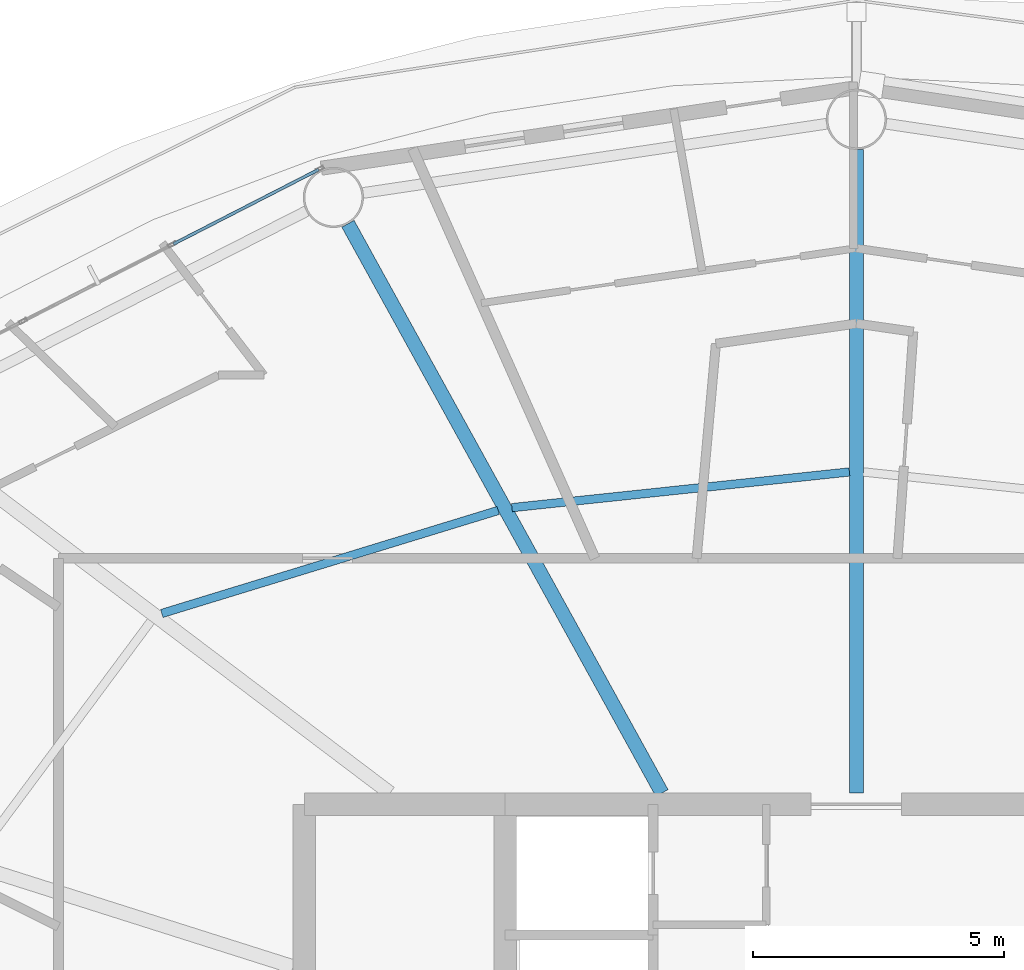
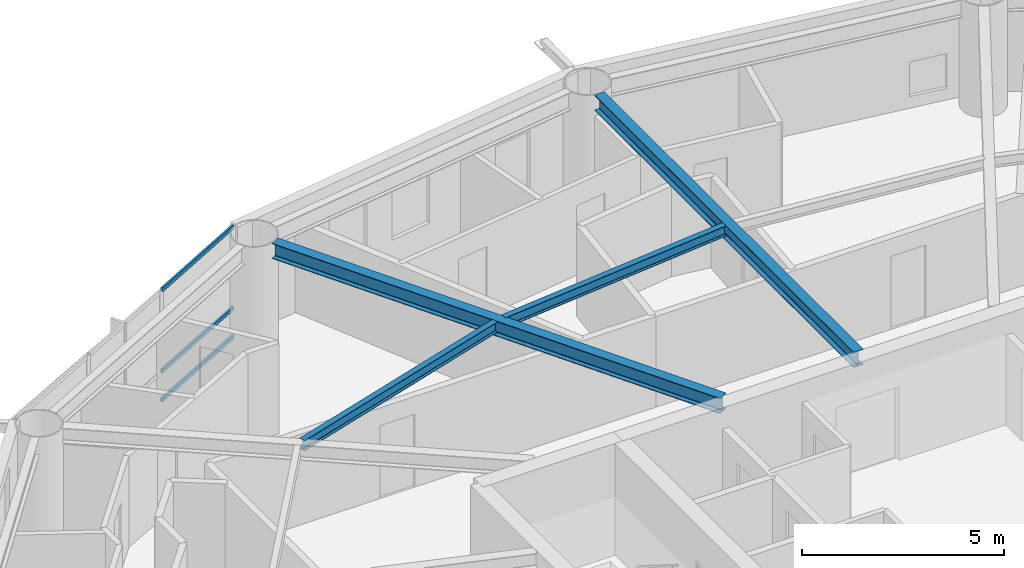
# One storey, part 12 of 27: 4 beams, 3 members, 1 element without a shape of its own.
"""IFC4 building model written with IfcOpenShell, lengths in metres."""

from ifc_helpers import new_model, si_unit, direction, frame, origin, origin_2d, place, context, subcontext, project, spatial, hollow_rectangle, i_section, extrude, material, layer, layer_set, material_profile, profile_set, type_object, element, aggregate, save


model = new_model("IFC4")

# Units and contexts
model_context = context("Model", 3, precision=1e-05, world=origin(), true_north=direction((0.0, 1.0)))
body_context = subcontext(model_context, "Body", "Model", "MODEL_VIEW")
ifc_project = project(units=[si_unit("LENGTHUNIT", "METRE"), si_unit("AREAUNIT", "SQUARE_METRE"), si_unit("VOLUMEUNIT", "CUBIC_METRE"), si_unit("PLANEANGLEUNIT", "RADIAN"), si_unit("MASSUNIT", "GRAM", prefix="KILO")], contexts=[model_context])

# Site, building, storey
site_placement = place(None, origin())
site = spatial("IfcSite", under=ifc_project, at=site_placement, CompositionType="ELEMENT")
building_placement = place(site_placement, origin())
building = spatial("IfcBuilding", under=site, at=building_placement, Name="Sarneth Arch Tower", CompositionType="ELEMENT")
storey_placement = place(building_placement, frame((0.0, 0.0, 193.800048828125)))
storey = spatial("IfcBuildingStorey", under=building, at=storey_placement, Name="L49", CompositionType="ELEMENT", Elevation=193.800048828125)

# Beams
ifc_material_1 = material(Name="Steel S355", Category="steel")
ifc_material_profile_1 = material_profile(ifc_material_1, i_section(OverallWidth=0.1669921875, OverallDepth=0.31689453125, WebThickness=0.007568359375, FlangeThickness=0.01318359375, FilletRadius=0.012939453125, at=origin_2d()), Name="W310x52")
ifc_profile_set_1 = profile_set([ifc_material_profile_1], Name="Steel S355")
beam_type_1 = type_object("IfcBeamType", Name="BM-JOIST-310B", PredefinedType="JOIST", material=ifc_profile_set_1)
beam_1_placement = place(storey_placement, frame((47.86083984375, 55.4228515625, 3.221435546875), z_axis=(-0.994447340543, -0.105235387994, 0.0), x_axis=(0.105235387994, -0.994447340543, 0.0)))
element("IfcBeam", 1, at=beam_1_placement, inside=storey, type_object=beam_type_1, Name="L49 Secondary floor joist 05", PredefinedType="JOIST", context=body_context, shape_type="SweptSolid", body=[
    extrude(i_section(OverallWidth=0.1669921875, OverallDepth=0.31689453125, WebThickness=0.007568359375, FlangeThickness=0.01318359375, FilletRadius=0.012939453125, at=origin_2d()), origin(), (0.0, 0.0, 1.0), 6.7626953125),
])
beam_2_placement = place(storey_placement, frame((40.862548828125, 54.655517578125, 3.221435546875), z_axis=(-0.956178669891, -0.292783796076, 0.0), x_axis=(0.292783796076, -0.956178669891, 0.0)))
element("IfcBeam", 2, at=beam_2_placement, inside=storey, type_object=beam_type_1, Name="L49 Secondary floor joist 06", PredefinedType="JOIST", context=body_context, shape_type="SweptSolid", body=[
    extrude(i_section(OverallWidth=0.1669921875, OverallDepth=0.31689453125, WebThickness=0.007568359375, FlangeThickness=0.01318359375, FilletRadius=0.012939453125, at=origin_2d()), origin(), (0.0, 0.0, 1.0), 7.010986328125),
])
ifc_material_2 = material(Name="Steel S355", Category="steel")
ifc_material_profile_2 = material_profile(ifc_material_2, i_section(OverallWidth=0.280029296875, OverallDepth=0.462890625, WebThickness=0.0107421875, FlangeThickness=0.017333984375, FilletRadius=0.01806640625, at=origin_2d()), Name="W460x113")
ifc_profile_set_2 = profile_set([ifc_material_profile_2], Name="Steel S355")
beam_type_2 = type_object("IfcBeamType", Name="BM-RAD-460A", PredefinedType="BEAM", material=ifc_profile_set_2)
beam_3_placement = place(storey_placement, frame((48.0, 49.02490234375, 3.1484375), z_axis=(0.0, 1.0, 0.0), x_axis=(-1.0, 0.0, 0.0)))
element("IfcBeam", 3, at=beam_3_placement, inside=storey, type_object=beam_type_2, Name="L49 Radial floor girder 05", PredefinedType="BEAM", context=body_context, shape_type="SweptSolid", body=[
    extrude(i_section(OverallWidth=0.280029296875, OverallDepth=0.462890625, WebThickness=0.0107421875, FlangeThickness=0.017333984375, FilletRadius=0.01806640625, at=origin_2d()), origin(), (0.0, 0.0, 1.0), 12.8251953125),
])
beam_4_placement = place(storey_placement, frame((44.125, 49.02490234375, 3.1484375), z_axis=(-0.483010082599, 0.875614789795, 0.0), x_axis=(-0.875614789795, -0.483010082599, 0.0)))
element("IfcBeam", 4, at=beam_4_placement, inside=storey, type_object=beam_type_2, Name="L49 Radial floor girder 06", PredefinedType="BEAM", context=body_context, shape_type="SweptSolid", body=[
    extrude(i_section(OverallWidth=0.280029296875, OverallDepth=0.462890625, WebThickness=0.0107421875, FlangeThickness=0.017333984375, FilletRadius=0.01806640625, at=origin_2d()), origin(), (0.0, 0.0, 1.0), 12.954345703125),
])

# Curtain wall, members
ifc_material_3 = material(Name="Anodised aluminium Type AA25 and solar-control low-e laminated IGU", Category="aluminium")
ifc_layer = layer(ifc_material_3, 0.169921875)
ifc_layer_set = layer_set([ifc_layer], Name="Anodised aluminium Type AA25 and solar-control low-e laminated IGU")
curtain_wall_type = type_object("IfcCurtainWallType", Name="CW-RES-MID", PredefinedType="NOTDEFINED", material=ifc_layer_set)
curtain_wall_placement = place(storey_placement, origin())
curtain_wall = element("IfcCurtainWall", 5, at=curtain_wall_placement, inside=storey, type_object=curtain_wall_type, Name="L49 Unitised curtain wall facet 06", PredefinedType="NOTDEFINED")
ifc_material_4 = material(Name="Anodised Aluminium 6063-T6", Category="aluminium")
ifc_material_profile_3 = material_profile(ifc_material_4, hollow_rectangle(XDim=0.06005859375, YDim=0.1201171875, WallThickness=0.00390625, at=origin_2d()), Name="AL-TRAN-120x60x4")
ifc_profile_set_3 = profile_set([ifc_material_profile_3], Name="Anodised Aluminium 6063-T6")
member_type = type_object("IfcMemberType", Name="CW-TRANSOM", PredefinedType="USERDEFINED", material=ifc_profile_set_3)
member_1_placement = place(storey_placement, frame((37.28369140625, 61.447998046875, 0.030029296875), z_axis=(-0.889857362344, -0.456238835131, 0.0), x_axis=(0.456238835131, -0.889857362344, 0.0)))
member_1 = element("IfcMember", 6, at=member_1_placement, type_object=member_type, Name="CW-SYS-5 transom 1.1", ObjectType="TRANSOM", PredefinedType="USERDEFINED", context=body_context, shape_type="SweptSolid", body=[
    extrude(hollow_rectangle(XDim=0.06005859375, YDim=0.1201171875, WallThickness=0.00390625, at=origin_2d()), origin(), (0.0, 0.0, 1.0), 3.248779296875),
])
member_2_placement = place(storey_placement, frame((37.28369140625, 61.447998046875, 0.89990234375), z_axis=(-0.889857362344, -0.456238835131, 0.0), x_axis=(0.456238835131, -0.889857362344, 0.0)))
member_2 = element("IfcMember", 7, at=member_2_placement, type_object=member_type, Name="CW-SYS-5 transom 1.2", ObjectType="TRANSOM", PredefinedType="USERDEFINED", context=body_context, shape_type="SweptSolid", body=[
    extrude(hollow_rectangle(XDim=0.06005859375, YDim=0.1201171875, WallThickness=0.00390625, at=origin_2d()), origin(), (0.0, 0.0, 1.0), 3.248779296875),
])
member_3_placement = place(storey_placement, frame((37.28369140625, 61.447998046875, 3.349853515625), z_axis=(-0.889857362344, -0.456238835131, 0.0), x_axis=(0.456238835131, -0.889857362344, 0.0)))
member_3 = element("IfcMember", 8, at=member_3_placement, type_object=member_type, Name="CW-SYS-5 transom 1.3", ObjectType="TRANSOM", PredefinedType="USERDEFINED", context=body_context, shape_type="SweptSolid", body=[
    extrude(hollow_rectangle(XDim=0.06005859375, YDim=0.1201171875, WallThickness=0.00390625, at=origin_2d()), origin(), (0.0, 0.0, 1.0), 3.248779296875),
])
aggregate(curtain_wall, [member_1, member_2, member_3])

save(model, "model.ifc")
